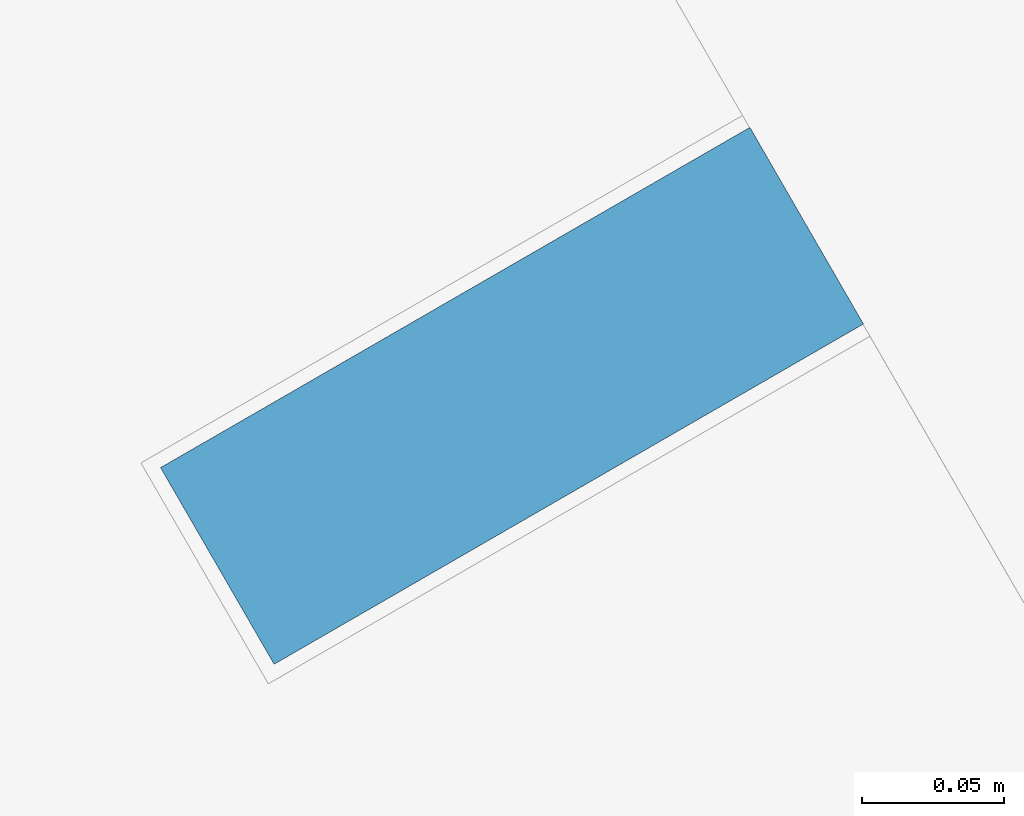
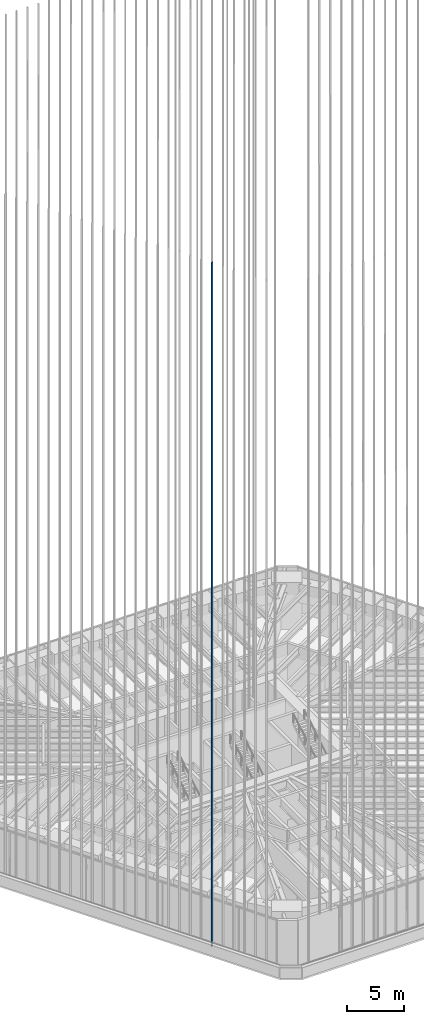
# One storey, part 2 of 228: 1 member, 1 element without a shape of its own.
"""IFC4 building model written with IfcOpenShell, lengths in metres."""

from ifc_helpers import new_model, si_unit, direction, frame, origin, origin_2d, place, context, subcontext, project, spatial, rectangle, extrude, material, material_profile, profile_set, type_object, element, aggregate, save


model = new_model("IFC4")

# Units and contexts
model_context = context("Model", 3, precision=1e-05, world=origin(), true_north=direction((0.0, 1.0)))
body_context = subcontext(model_context, "Body", "Model", "MODEL_VIEW")
ifc_project = project(units=[si_unit("LENGTHUNIT", "METRE"), si_unit("AREAUNIT", "SQUARE_METRE"), si_unit("VOLUMEUNIT", "CUBIC_METRE"), si_unit("PLANEANGLEUNIT", "RADIAN"), si_unit("MASSUNIT", "GRAM", prefix="KILO")], contexts=[model_context])

# Site, building, storey
site_placement = place(None, origin())
site = spatial("IfcSite", under=ifc_project, at=site_placement, CompositionType="ELEMENT")
building_placement = place(site_placement, origin())
building = spatial("IfcBuilding", under=site, at=building_placement, Name="Sandreach Pilgrim Tower", CompositionType="ELEMENT")
storey_placement = place(building_placement, frame((0.0, 0.0, 178.199951171875)))
storey = spatial("IfcBuildingStorey", under=building, at=storey_placement, Name="L44", CompositionType="ELEMENT", Elevation=178.199951171875)

# Curtain wall, member
ifc_material_1 = material(Name="Aluminium framed curtain wall", Category="aluminium")
curtain_wall_type = type_object("IfcCurtainWallType", Name="Upper hotel tower curtain wall", PredefinedType="NOTDEFINED", material=ifc_material_1)
curtain_wall_placement = place(storey_placement, origin())
curtain_wall = element("IfcCurtainWall", 1, at=curtain_wall_placement, inside=storey, type_object=curtain_wall_type, Name="CW-3 L44 SW", PredefinedType="NOTDEFINED")
ifc_material_2 = material(Name="Extruded terracotta on aluminium core", Category="masonry")
ifc_material_profile = material_profile(ifc_material_2, rectangle(XDim=0.080078125, YDim=0.239990234375, at=origin_2d()), Name="TBW 80X240")
ifc_profile_set = profile_set([ifc_material_profile], Name="Extruded terracotta on aluminium core")
member_type = type_object("IfcMemberType", Name="Terracotta baguette west", PredefinedType="USERDEFINED", material=ifc_profile_set)
member_placement = place(storey_placement, frame((-13.1787109375, -20.333740234375, 0.0), z_axis=(0.0, 0.0, 1.0), x_axis=(-0.5, 0.866025403784, 0.0)))
member = element("IfcMember", 2, at=member_placement, type_object=member_type, Name="Baguette Z3 SW06", ObjectType="BAGUETTE", PredefinedType="USERDEFINED", context=body_context, shape_type="SweptSolid", body=[
    extrude(rectangle(XDim=0.080078125, YDim=0.239990234375, at=origin_2d()), origin(), (0.0, 0.0, 1.0), 73.239990234375),
])
aggregate(curtain_wall, [member])

save(model, "model.ifc")
